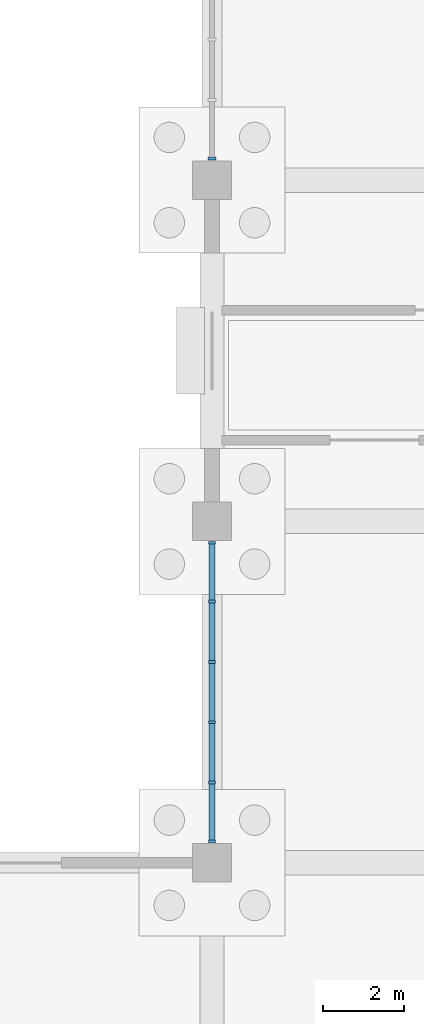
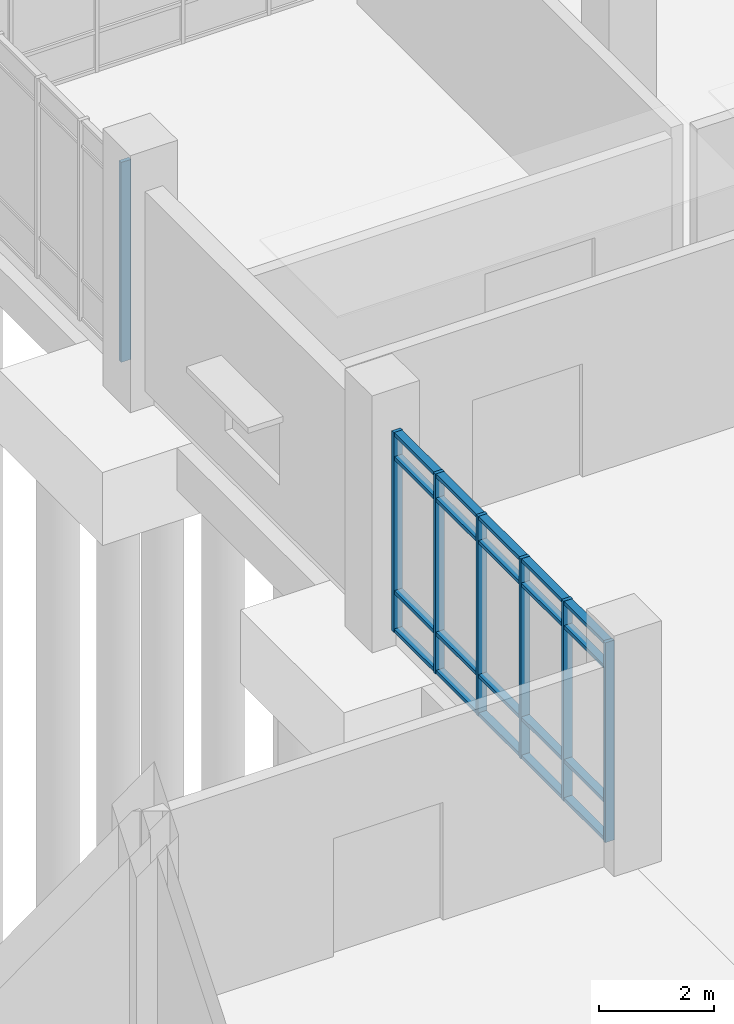
# One storey, part 61 of 136: 27 members, 2 elements without a shape of their own.
"""IFC4 building model written with IfcOpenShell, lengths in metres."""

from ifc_helpers import new_model, si_unit, direction, frame, origin, origin_2d, place, context, subcontext, project, spatial, rectangle, extrude, material, material_profile, profile_set, type_object, element, aggregate, save


model = new_model("IFC4")

# Units and contexts
model_context = context("Model", 3, precision=1e-05, world=origin(), true_north=direction((0.0, 1.0)))
body_context = subcontext(model_context, "Body", "Model", "MODEL_VIEW")
ifc_project = project(units=[si_unit("LENGTHUNIT", "METRE"), si_unit("AREAUNIT", "SQUARE_METRE"), si_unit("VOLUMEUNIT", "CUBIC_METRE"), si_unit("PLANEANGLEUNIT", "RADIAN"), si_unit("MASSUNIT", "GRAM", prefix="KILO")], contexts=[model_context])

# Site, building, storey
site_placement = place(None, origin())
site = spatial("IfcSite", under=ifc_project, at=site_placement, CompositionType="ELEMENT")
building_placement = place(site_placement, origin())
building = spatial("IfcBuilding", under=site, at=building_placement, Name="Oolite Switchyard Hospital", CompositionType="ELEMENT")
storey_placement = place(building_placement, origin())
storey = spatial("IfcBuildingStorey", under=building, at=storey_placement, Name="L00", CompositionType="ELEMENT", Elevation=0.0)

# Curtain wall, members
ifc_material_1 = material(Name="Thermally broken aluminum frame with laminated impact glazing", Category="aluminium")
curtain_wall_type = type_object("IfcCurtainWallType", Name="CW-UNIT-84X51", PredefinedType="USERDEFINED", material=ifc_material_1)
curtain_wall_1_placement = place(storey_placement, origin())
curtain_wall_1 = element("IfcCurtainWall", 1, at=curtain_wall_1_placement, inside=storey, type_object=curtain_wall_type, Name="L00 Unitised Curtain Wall 73", ObjectType="UNITISED", PredefinedType="USERDEFINED")
ifc_material_2 = material(Name="Aluminium 6063-T6", Category="aluminium")
ifc_material_profile_1 = material_profile(ifc_material_2, rectangle(XDim=0.179931640625, YDim=0.070068359375, at=origin_2d()), Name="CWM70X180")
ifc_profile_set_1 = profile_set([ifc_material_profile_1], Name="Aluminium 6063-T6")
member_type_1 = type_object("IfcMemberType", Name="CW-MUL-220", PredefinedType="MULLION", material=ifc_profile_set_1)
member_1_placement = place(storey_placement, frame((134.39990234375, 109.72509765625, 0.0), z_axis=(0.0, 0.0, 1.0), x_axis=(-1.0, 0.0, 0.0)))
member_1 = element("IfcMember", 2, at=member_1_placement, type_object=member_type_1, Name="CW-06 mullion 1", PredefinedType="MULLION", context=body_context, shape_type="SweptSolid", body=[
    extrude(rectangle(XDim=0.179931640625, YDim=0.070068359375, at=origin_2d()), origin(), (0.0, 0.0, 1.0), 4.239990234375),
])
member_2_placement = place(storey_placement, frame((134.39990234375, 111.174072265625, 0.0), z_axis=(0.0, 0.0, 1.0), x_axis=(-1.0, 0.0, 0.0)))
member_2 = element("IfcMember", 3, at=member_2_placement, type_object=member_type_1, Name="CW-06 mullion 2", PredefinedType="MULLION", context=body_context, shape_type="SweptSolid", body=[
    extrude(rectangle(XDim=0.179931640625, YDim=0.070068359375, at=origin_2d()), origin(), (0.0, 0.0, 1.0), 4.239990234375),
])
member_3_placement = place(storey_placement, frame((134.39990234375, 112.657958984375, 0.0), z_axis=(0.0, 0.0, 1.0), x_axis=(-1.0, 0.0, 0.0)))
member_3 = element("IfcMember", 4, at=member_3_placement, type_object=member_type_1, Name="CW-06 mullion 3", PredefinedType="MULLION", context=body_context, shape_type="SweptSolid", body=[
    extrude(rectangle(XDim=0.179931640625, YDim=0.070068359375, at=origin_2d()), origin(), (0.0, 0.0, 1.0), 4.239990234375),
])
member_4_placement = place(storey_placement, frame((134.39990234375, 114.14208984375, 0.0), z_axis=(0.0, 0.0, 1.0), x_axis=(-1.0, 0.0, 0.0)))
member_4 = element("IfcMember", 5, at=member_4_placement, type_object=member_type_1, Name="CW-06 mullion 4", PredefinedType="MULLION", context=body_context, shape_type="SweptSolid", body=[
    extrude(rectangle(XDim=0.179931640625, YDim=0.070068359375, at=origin_2d()), origin(), (0.0, 0.0, 1.0), 4.239990234375),
])
member_5_placement = place(storey_placement, frame((134.39990234375, 115.6259765625, 0.0), z_axis=(0.0, 0.0, 1.0), x_axis=(-1.0, 0.0, 0.0)))
member_5 = element("IfcMember", 6, at=member_5_placement, type_object=member_type_1, Name="CW-06 mullion 5", PredefinedType="MULLION", context=body_context, shape_type="SweptSolid", body=[
    extrude(rectangle(XDim=0.179931640625, YDim=0.070068359375, at=origin_2d()), origin(), (0.0, 0.0, 1.0), 4.239990234375),
])
member_6_placement = place(storey_placement, frame((134.39990234375, 117.074951171875, 0.0), z_axis=(0.0, 0.0, 1.0), x_axis=(-1.0, 0.0, 0.0)))
member_6 = element("IfcMember", 7, at=member_6_placement, type_object=member_type_1, Name="CW-06 mullion 6", PredefinedType="MULLION", context=body_context, shape_type="SweptSolid", body=[
    extrude(rectangle(XDim=0.179931640625, YDim=0.070068359375, at=origin_2d()), origin(), (0.0, 0.0, 1.0), 4.239990234375),
])

# Curtain wall, member
curtain_wall_2_placement = place(storey_placement, origin())
curtain_wall_2 = element("IfcCurtainWall", 8, at=curtain_wall_2_placement, inside=storey, type_object=curtain_wall_type, Name="L00 Unitised Curtain Wall 74", ObjectType="UNITISED", PredefinedType="USERDEFINED")
ifc_material_profile_2 = material_profile(ifc_material_2, rectangle(XDim=0.199951171875, YDim=0.074951171875, at=origin_2d()), Name="CWM75X200")
ifc_profile_set_2 = profile_set([ifc_material_profile_2], Name="Aluminium 6063-T6")
member_type_2 = type_object("IfcMemberType", Name="CW-MUL-260", PredefinedType="MULLION", material=ifc_profile_set_2)
member_7_placement = place(storey_placement, frame((134.39990234375, 126.527587890625, 0.0), z_axis=(0.0, 0.0, 1.0), x_axis=(-1.0, 0.0, 0.0)))
member_7 = element("IfcMember", 9, at=member_7_placement, type_object=member_type_2, Name="CW-06 mullion 1", PredefinedType="MULLION", context=body_context, shape_type="SweptSolid", body=[
    extrude(rectangle(XDim=0.199951171875, YDim=0.074951171875, at=origin_2d()), origin(), (0.0, 0.0, 1.0), 4.239990234375),
])
aggregate(curtain_wall_2, [member_7])

# Member
ifc_material_profile_3 = material_profile(ifc_material_2, rectangle(XDim=0.159912109375, YDim=0.074951171875, at=origin_2d()), Name="CWT75X160")
ifc_profile_set_3 = profile_set([ifc_material_profile_3], Name="Aluminium 6063-T6")
member_type_3 = type_object("IfcMemberType", Name="CW-TRN-180", PredefinedType="USERDEFINED", material=ifc_profile_set_3)
member_8_placement = place(storey_placement, frame((134.39990234375, 109.760009765625, 0.03759765625), z_axis=(0.0, 1.0, 0.0), x_axis=(-1.0, 0.0, 0.0)))
member_8 = element("IfcMember", 10, at=member_8_placement, type_object=member_type_3, Name="CW-06 transom 1.1", ObjectType="TRANSOM", PredefinedType="USERDEFINED", context=body_context, shape_type="SweptSolid", body=[
    extrude(rectangle(XDim=0.159912109375, YDim=0.074951171875, at=origin_2d()), origin(), (0.0, 0.0, 1.0), 1.37890625),
])

member_9_placement = place(storey_placement, frame((134.39990234375, 109.760009765625, 0.85009765625), z_axis=(0.0, 1.0, 0.0), x_axis=(-1.0, 0.0, 0.0)))
member_9 = element("IfcMember", 11, at=member_9_placement, type_object=member_type_3, Name="CW-06 transom 1.2", ObjectType="TRANSOM", PredefinedType="USERDEFINED", context=body_context, shape_type="SweptSolid", body=[
    extrude(rectangle(XDim=0.159912109375, YDim=0.074951171875, at=origin_2d()), origin(), (0.0, 0.0, 1.0), 1.37890625),
])

member_10_placement = place(storey_placement, frame((134.39990234375, 109.760009765625, 3.68994140625), z_axis=(0.0, 1.0, 0.0), x_axis=(-1.0, 0.0, 0.0)))
member_10 = element("IfcMember", 12, at=member_10_placement, type_object=member_type_3, Name="CW-06 transom 1.3", ObjectType="TRANSOM", PredefinedType="USERDEFINED", context=body_context, shape_type="SweptSolid", body=[
    extrude(rectangle(XDim=0.159912109375, YDim=0.074951171875, at=origin_2d()), origin(), (0.0, 0.0, 1.0), 1.37890625),
])

member_11_placement = place(storey_placement, frame((134.39990234375, 109.760009765625, 4.202392578125), z_axis=(0.0, 1.0, 0.0), x_axis=(-1.0, 0.0, 0.0)))
member_11 = element("IfcMember", 13, at=member_11_placement, type_object=member_type_3, Name="CW-06 transom 1.4", ObjectType="TRANSOM", PredefinedType="USERDEFINED", context=body_context, shape_type="SweptSolid", body=[
    extrude(rectangle(XDim=0.159912109375, YDim=0.074951171875, at=origin_2d()), origin(), (0.0, 0.0, 1.0), 1.37890625),
])

member_12_placement = place(storey_placement, frame((134.39990234375, 111.208984375, 0.03759765625), z_axis=(0.0, 1.0, 0.0), x_axis=(-1.0, 0.0, 0.0)))
member_12 = element("IfcMember", 14, at=member_12_placement, type_object=member_type_3, Name="CW-06 transom 2.1", ObjectType="TRANSOM", PredefinedType="USERDEFINED", context=body_context, shape_type="SweptSolid", body=[
    extrude(rectangle(XDim=0.159912109375, YDim=0.074951171875, at=origin_2d()), origin(), (0.0, 0.0, 1.0), 1.4140625),
])

member_13_placement = place(storey_placement, frame((134.39990234375, 111.208984375, 0.85009765625), z_axis=(0.0, 1.0, 0.0), x_axis=(-1.0, 0.0, 0.0)))
member_13 = element("IfcMember", 15, at=member_13_placement, type_object=member_type_3, Name="CW-06 transom 2.2", ObjectType="TRANSOM", PredefinedType="USERDEFINED", context=body_context, shape_type="SweptSolid", body=[
    extrude(rectangle(XDim=0.159912109375, YDim=0.074951171875, at=origin_2d()), origin(), (0.0, 0.0, 1.0), 1.4140625),
])

member_14_placement = place(storey_placement, frame((134.39990234375, 111.208984375, 3.68994140625), z_axis=(0.0, 1.0, 0.0), x_axis=(-1.0, 0.0, 0.0)))
member_14 = element("IfcMember", 16, at=member_14_placement, type_object=member_type_3, Name="CW-06 transom 2.3", ObjectType="TRANSOM", PredefinedType="USERDEFINED", context=body_context, shape_type="SweptSolid", body=[
    extrude(rectangle(XDim=0.159912109375, YDim=0.074951171875, at=origin_2d()), origin(), (0.0, 0.0, 1.0), 1.4140625),
])

member_15_placement = place(storey_placement, frame((134.39990234375, 111.208984375, 4.202392578125), z_axis=(0.0, 1.0, 0.0), x_axis=(-1.0, 0.0, 0.0)))
member_15 = element("IfcMember", 17, at=member_15_placement, type_object=member_type_3, Name="CW-06 transom 2.4", ObjectType="TRANSOM", PredefinedType="USERDEFINED", context=body_context, shape_type="SweptSolid", body=[
    extrude(rectangle(XDim=0.159912109375, YDim=0.074951171875, at=origin_2d()), origin(), (0.0, 0.0, 1.0), 1.4140625),
])

member_16_placement = place(storey_placement, frame((134.39990234375, 112.693115234375, 0.03759765625), z_axis=(0.0, 1.0, 0.0), x_axis=(-1.0, 0.0, 0.0)))
member_16 = element("IfcMember", 18, at=member_16_placement, type_object=member_type_3, Name="CW-06 transom 3.1", ObjectType="TRANSOM", PredefinedType="USERDEFINED", context=body_context, shape_type="SweptSolid", body=[
    extrude(rectangle(XDim=0.159912109375, YDim=0.074951171875, at=origin_2d()), origin(), (0.0, 0.0, 1.0), 1.413818359375),
])

member_17_placement = place(storey_placement, frame((134.39990234375, 112.693115234375, 0.85009765625), z_axis=(0.0, 1.0, 0.0), x_axis=(-1.0, 0.0, 0.0)))
member_17 = element("IfcMember", 19, at=member_17_placement, type_object=member_type_3, Name="CW-06 transom 3.2", ObjectType="TRANSOM", PredefinedType="USERDEFINED", context=body_context, shape_type="SweptSolid", body=[
    extrude(rectangle(XDim=0.159912109375, YDim=0.074951171875, at=origin_2d()), origin(), (0.0, 0.0, 1.0), 1.413818359375),
])

member_18_placement = place(storey_placement, frame((134.39990234375, 112.693115234375, 3.68994140625), z_axis=(0.0, 1.0, 0.0), x_axis=(-1.0, 0.0, 0.0)))
member_18 = element("IfcMember", 20, at=member_18_placement, type_object=member_type_3, Name="CW-06 transom 3.3", ObjectType="TRANSOM", PredefinedType="USERDEFINED", context=body_context, shape_type="SweptSolid", body=[
    extrude(rectangle(XDim=0.159912109375, YDim=0.074951171875, at=origin_2d()), origin(), (0.0, 0.0, 1.0), 1.413818359375),
])

member_19_placement = place(storey_placement, frame((134.39990234375, 112.693115234375, 4.202392578125), z_axis=(0.0, 1.0, 0.0), x_axis=(-1.0, 0.0, 0.0)))
member_19 = element("IfcMember", 21, at=member_19_placement, type_object=member_type_3, Name="CW-06 transom 3.4", ObjectType="TRANSOM", PredefinedType="USERDEFINED", context=body_context, shape_type="SweptSolid", body=[
    extrude(rectangle(XDim=0.159912109375, YDim=0.074951171875, at=origin_2d()), origin(), (0.0, 0.0, 1.0), 1.413818359375),
])

member_20_placement = place(storey_placement, frame((134.39990234375, 114.177001953125, 0.03759765625), z_axis=(0.0, 1.0, 0.0), x_axis=(-1.0, 0.0, 0.0)))
member_20 = element("IfcMember", 22, at=member_20_placement, type_object=member_type_3, Name="CW-06 transom 4.1", ObjectType="TRANSOM", PredefinedType="USERDEFINED", context=body_context, shape_type="SweptSolid", body=[
    extrude(rectangle(XDim=0.159912109375, YDim=0.074951171875, at=origin_2d()), origin(), (0.0, 0.0, 1.0), 1.4140625),
])

member_21_placement = place(storey_placement, frame((134.39990234375, 114.177001953125, 0.85009765625), z_axis=(0.0, 1.0, 0.0), x_axis=(-1.0, 0.0, 0.0)))
member_21 = element("IfcMember", 23, at=member_21_placement, type_object=member_type_3, Name="CW-06 transom 4.2", ObjectType="TRANSOM", PredefinedType="USERDEFINED", context=body_context, shape_type="SweptSolid", body=[
    extrude(rectangle(XDim=0.159912109375, YDim=0.074951171875, at=origin_2d()), origin(), (0.0, 0.0, 1.0), 1.4140625),
])

member_22_placement = place(storey_placement, frame((134.39990234375, 114.177001953125, 3.68994140625), z_axis=(0.0, 1.0, 0.0), x_axis=(-1.0, 0.0, 0.0)))
member_22 = element("IfcMember", 24, at=member_22_placement, type_object=member_type_3, Name="CW-06 transom 4.3", ObjectType="TRANSOM", PredefinedType="USERDEFINED", context=body_context, shape_type="SweptSolid", body=[
    extrude(rectangle(XDim=0.159912109375, YDim=0.074951171875, at=origin_2d()), origin(), (0.0, 0.0, 1.0), 1.4140625),
])

member_23_placement = place(storey_placement, frame((134.39990234375, 114.177001953125, 4.202392578125), z_axis=(0.0, 1.0, 0.0), x_axis=(-1.0, 0.0, 0.0)))
member_23 = element("IfcMember", 25, at=member_23_placement, type_object=member_type_3, Name="CW-06 transom 4.4", ObjectType="TRANSOM", PredefinedType="USERDEFINED", context=body_context, shape_type="SweptSolid", body=[
    extrude(rectangle(XDim=0.159912109375, YDim=0.074951171875, at=origin_2d()), origin(), (0.0, 0.0, 1.0), 1.4140625),
])

member_24_placement = place(storey_placement, frame((134.39990234375, 115.660888671875, 0.03759765625), z_axis=(0.0, 1.0, 0.0), x_axis=(-1.0, 0.0, 0.0)))
member_24 = element("IfcMember", 26, at=member_24_placement, type_object=member_type_3, Name="CW-06 transom 5.1", ObjectType="TRANSOM", PredefinedType="USERDEFINED", context=body_context, shape_type="SweptSolid", body=[
    extrude(rectangle(XDim=0.159912109375, YDim=0.074951171875, at=origin_2d()), origin(), (0.0, 0.0, 1.0), 1.379150390625),
])

member_25_placement = place(storey_placement, frame((134.39990234375, 115.660888671875, 0.85009765625), z_axis=(0.0, 1.0, 0.0), x_axis=(-1.0, 0.0, 0.0)))
member_25 = element("IfcMember", 27, at=member_25_placement, type_object=member_type_3, Name="CW-06 transom 5.2", ObjectType="TRANSOM", PredefinedType="USERDEFINED", context=body_context, shape_type="SweptSolid", body=[
    extrude(rectangle(XDim=0.159912109375, YDim=0.074951171875, at=origin_2d()), origin(), (0.0, 0.0, 1.0), 1.379150390625),
])

member_26_placement = place(storey_placement, frame((134.39990234375, 115.660888671875, 3.68994140625), z_axis=(0.0, 1.0, 0.0), x_axis=(-1.0, 0.0, 0.0)))
member_26 = element("IfcMember", 28, at=member_26_placement, type_object=member_type_3, Name="CW-06 transom 5.3", ObjectType="TRANSOM", PredefinedType="USERDEFINED", context=body_context, shape_type="SweptSolid", body=[
    extrude(rectangle(XDim=0.159912109375, YDim=0.074951171875, at=origin_2d()), origin(), (0.0, 0.0, 1.0), 1.379150390625),
])

member_27_placement = place(storey_placement, frame((134.39990234375, 115.660888671875, 4.202392578125), z_axis=(0.0, 1.0, 0.0), x_axis=(-1.0, 0.0, 0.0)))
member_27 = element("IfcMember", 29, at=member_27_placement, type_object=member_type_3, Name="CW-06 transom 5.4", ObjectType="TRANSOM", PredefinedType="USERDEFINED", context=body_context, shape_type="SweptSolid", body=[
    extrude(rectangle(XDim=0.159912109375, YDim=0.074951171875, at=origin_2d()), origin(), (0.0, 0.0, 1.0), 1.379150390625),
])

aggregate(curtain_wall_1, [member_1, member_2, member_3, member_4, member_5, member_6, member_8, member_9, member_10, member_11, member_12, member_13, member_14, member_15, member_16, member_17, member_18, member_19, member_20, member_21, member_22, member_23, member_24, member_25, member_26, member_27])

save(model, "model.ifc")
